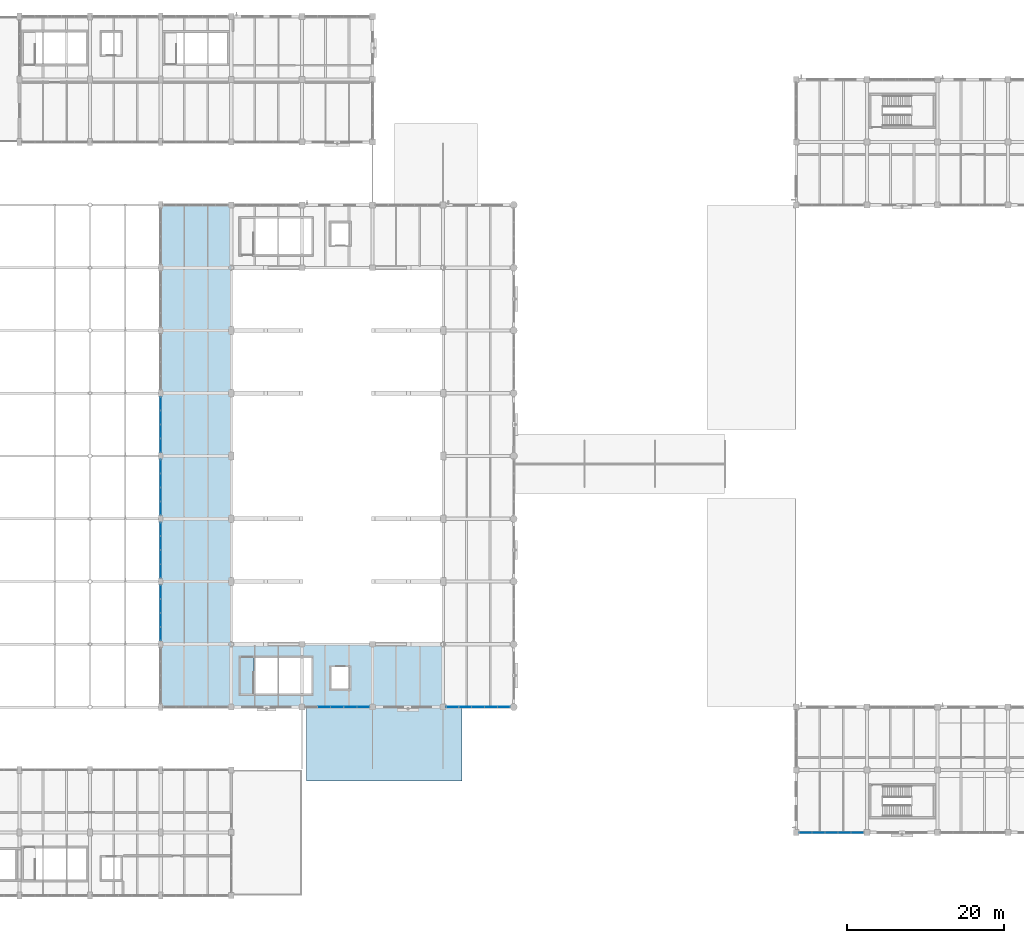
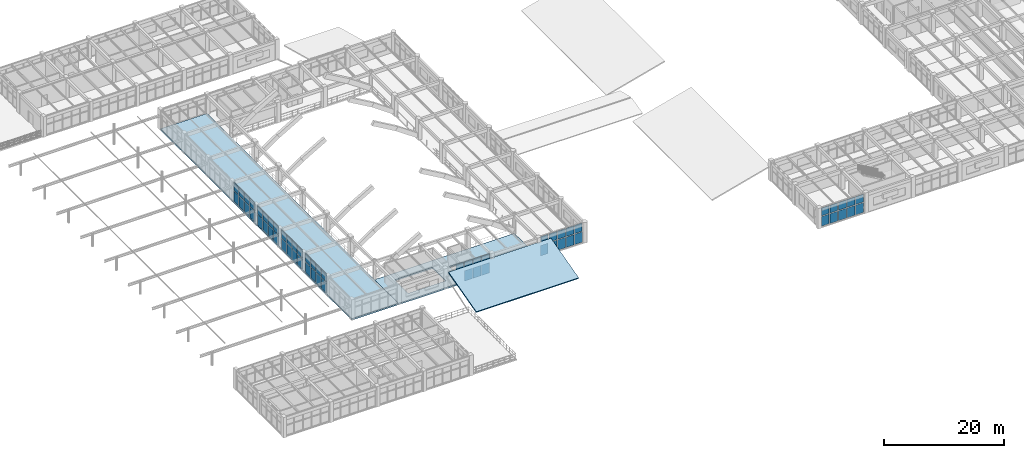
# One storey, part 116 of 148: 59 plates, 3 slabs, 8 elements without a shape of their own.
"""IFC4 building model written with IfcOpenShell, lengths in metres."""

from ifc_helpers import new_model, si_unit, derived_unit, direction, frame, origin, origin_2d, place, context, subcontext, project, spatial, polyline, rectangle, outline, extrude, material, layer, layer_set, type_object, element, aggregate, save


model = new_model("IFC4")

# Units and contexts
model_context = context("Model", 3, precision=1e-05, world=origin(), true_north=direction((0.0, 1.0)))
body_context = subcontext(model_context, "Body", "Model", "MODEL_VIEW")
ifc_project = project(units=[si_unit("LENGTHUNIT", "METRE"), si_unit("AREAUNIT", "SQUARE_METRE"), si_unit("VOLUMEUNIT", "CUBIC_METRE"), si_unit("PLANEANGLEUNIT", "RADIAN"), si_unit("MASSUNIT", "GRAM", prefix="KILO"), derived_unit("THERMALTRANSMITTANCEUNIT", [(si_unit("MASSUNIT", "GRAM", prefix="KILO"), 1), (si_unit("TIMEUNIT", "SECOND"), -3), (si_unit("THERMODYNAMICTEMPERATUREUNIT", "KELVIN"), -1)])], contexts=[model_context])

# Site, building, storey
site_placement = place(None, origin())
site = spatial("IfcSite", under=ifc_project, at=site_placement, CompositionType="ELEMENT")
building_placement = place(site_placement, origin())
building = spatial("IfcBuilding", under=site, at=building_placement, Name="Zhenchuan Archway Interchange", CompositionType="ELEMENT")
storey_placement = place(building_placement, frame((0.0, 0.0, 10.199951171875)))
storey = spatial("IfcBuildingStorey", under=building, at=storey_placement, Name="L02", CompositionType="ELEMENT", Elevation=10.199951171875)

# Curtain wall, plates
ifc_material_1 = material(Name="Anodised Aluminium", Category="aluminium")
curtain_wall_type_1 = type_object("IfcCurtainWallType", Name="CW_UNIT_4", PredefinedType="NOTDEFINED", material=ifc_material_1)
curtain_wall_1_placement = place(storey_placement, origin())
curtain_wall_1 = element("IfcCurtainWall", 1, at=curtain_wall_1_placement, inside=storey, type_object=curtain_wall_type_1, Name="Unitised curtain wall CW:L02:123", PredefinedType="NOTDEFINED")
ifc_material_2 = material(Name="Double Low-E Insulated Glazing", Category="glass")
ifc_layer_1 = layer(ifc_material_2, 0.028076171875)
ifc_layer_set_1 = layer_set([ifc_layer_1], Name="Double Low-E Insulated Glazing")
plate_type_1 = type_object("IfcPlateType", Name="CW_GLZ_1", PredefinedType="CURTAIN_PANEL", material=ifc_layer_set_1)
plate_1_placement = place(storey_placement, frame((70.7490234375, 24.0, 0.080078125), z_axis=(0.0, 0.0, 1.0), x_axis=(-1.0, 0.0, 0.0)))
plate_1 = element("IfcPlate", 2, at=plate_1_placement, type_object=plate_type_1, Name="CW:L02:123 lower glazing panel 0", PredefinedType="CURTAIN_PANEL", context=body_context, shape_type="SweptSolid", body=[
    extrude(rectangle(XDim=1.488037109375, YDim=0.028076171875, at=origin_2d()), origin(), (0.0, 0.0, 1.0), 2.1259765625),
])
plate_2_placement = place(storey_placement, frame((69.111083984375, 24.0, 0.080078125), z_axis=(0.0, 0.0, 1.0), x_axis=(-1.0, 0.0, 0.0)))
plate_2 = element("IfcPlate", 3, at=plate_2_placement, type_object=plate_type_1, Name="CW:L02:123 lower glazing panel 1", PredefinedType="CURTAIN_PANEL", context=body_context, shape_type="SweptSolid", body=[
    extrude(rectangle(XDim=1.508056640625, YDim=0.028076171875, at=origin_2d()), origin(), (0.0, 0.0, 1.0), 2.1259765625),
])
plate_3_placement = place(storey_placement, frame((67.462890625, 24.0, 0.080078125), z_axis=(0.0, 0.0, 1.0), x_axis=(-1.0, 0.0, 0.0)))
plate_3 = element("IfcPlate", 4, at=plate_3_placement, type_object=plate_type_1, Name="CW:L02:123 lower glazing panel 2", PredefinedType="CURTAIN_PANEL", context=body_context, shape_type="SweptSolid", body=[
    extrude(rectangle(XDim=1.508056640625, YDim=0.028076171875, at=origin_2d()), origin(), (0.0, 0.0, 1.0), 2.1259765625),
])
plate_4_placement = place(storey_placement, frame((65.81494140625, 24.0, 0.080078125), z_axis=(0.0, 0.0, 1.0), x_axis=(-1.0, 0.0, 0.0)))
plate_4 = element("IfcPlate", 5, at=plate_4_placement, type_object=plate_type_1, Name="CW:L02:123 lower glazing panel 3", PredefinedType="CURTAIN_PANEL", context=body_context, shape_type="SweptSolid", body=[
    extrude(rectangle(XDim=1.508056640625, YDim=0.028076171875, at=origin_2d()), origin(), (0.0, 0.0, 1.0), 2.1259765625),
])
plate_5_placement = place(storey_placement, frame((64.177001953125, 24.0, 0.080078125), z_axis=(0.0, 0.0, 1.0), x_axis=(-1.0, 0.0, 0.0)))
plate_5 = element("IfcPlate", 6, at=plate_5_placement, type_object=plate_type_1, Name="CW:L02:123 lower glazing panel 4", PredefinedType="CURTAIN_PANEL", context=body_context, shape_type="SweptSolid", body=[
    extrude(rectangle(XDim=1.488037109375, YDim=0.028076171875, at=origin_2d()), origin(), (0.0, 0.0, 1.0), 2.1259765625),
])

curtain_wall_type_2 = type_object("IfcCurtainWallType", Name="CW_UNIT_1", PredefinedType="NOTDEFINED", material=ifc_material_1)
curtain_wall_2_placement = place(storey_placement, origin())
curtain_wall_2 = element("IfcCurtainWall", 7, at=curtain_wall_2_placement, inside=storey, type_object=curtain_wall_type_2, Name="Unitised curtain wall CW:L02:124", PredefinedType="NOTDEFINED")
plate_6_placement = place(storey_placement, frame((52.815673828125, 24.0, 0.080078125), z_axis=(0.0, 0.0, 1.0), x_axis=(-1.0, 0.0, 0.0)))
plate_6 = element("IfcPlate", 8, at=plate_6_placement, type_object=plate_type_1, Name="CW:L02:124 lower glazing panel 0", PredefinedType="CURTAIN_PANEL", context=body_context, shape_type="SweptSolid", body=[
    extrude(rectangle(XDim=1.502685546875, YDim=0.028076171875, at=origin_2d()), origin(), (0.0, 0.0, 1.0), 2.1259765625),
])
plate_7_placement = place(storey_placement, frame((51.162841796875, 24.0, 0.080078125), z_axis=(0.0, 0.0, 1.0), x_axis=(-1.0, 0.0, 0.0)))
plate_7 = element("IfcPlate", 9, at=plate_7_placement, type_object=plate_type_1, Name="CW:L02:124 lower glazing panel 1", PredefinedType="CURTAIN_PANEL", context=body_context, shape_type="SweptSolid", body=[
    extrude(rectangle(XDim=1.522705078125, YDim=0.028076171875, at=origin_2d()), origin(), (0.0, 0.0, 1.0), 2.1259765625),
])
plate_8_placement = place(storey_placement, frame((49.5, 24.0, 0.080078125), z_axis=(0.0, 0.0, 1.0), x_axis=(-1.0, 0.0, 0.0)))
plate_8 = element("IfcPlate", 10, at=plate_8_placement, type_object=plate_type_1, Name="CW:L02:124 lower glazing panel 2", PredefinedType="CURTAIN_PANEL", context=body_context, shape_type="SweptSolid", body=[
    extrude(rectangle(XDim=1.522705078125, YDim=0.028076171875, at=origin_2d()), origin(), (0.0, 0.0, 1.0), 2.1259765625),
])

curtain_wall_3_placement = place(storey_placement, origin())
curtain_wall_3 = element("IfcCurtainWall", 11, at=curtain_wall_3_placement, inside=storey, type_object=curtain_wall_type_1, Name="Unitised curtain wall CW:L02:159", PredefinedType="NOTDEFINED")
plate_9_placement = place(storey_placement, frame((115.815673828125, 8.0, 0.080078125), z_axis=(0.0, 0.0, 1.0), x_axis=(-1.0, 0.0, 0.0)))
plate_9 = element("IfcPlate", 12, at=plate_9_placement, type_object=plate_type_1, Name="CW:L02:159 lower glazing panel 0", PredefinedType="CURTAIN_PANEL", context=body_context, shape_type="SweptSolid", body=[
    extrude(rectangle(XDim=1.502685546875, YDim=0.028076171875, at=origin_2d()), origin(), (0.0, 0.0, 1.0), 2.0048828125),
])
plate_10_placement = place(storey_placement, frame((114.162841796875, 8.0, 0.080078125), z_axis=(0.0, 0.0, 1.0), x_axis=(-1.0, 0.0, 0.0)))
plate_10 = element("IfcPlate", 13, at=plate_10_placement, type_object=plate_type_1, Name="CW:L02:159 lower glazing panel 1", PredefinedType="CURTAIN_PANEL", context=body_context, shape_type="SweptSolid", body=[
    extrude(rectangle(XDim=1.522705078125, YDim=0.028076171875, at=origin_2d()), origin(), (0.0, 0.0, 1.0), 2.0048828125),
])
plate_11_placement = place(storey_placement, frame((112.5, 8.0, 0.080078125), z_axis=(0.0, 0.0, 1.0), x_axis=(-1.0, 0.0, 0.0)))
plate_11 = element("IfcPlate", 14, at=plate_11_placement, type_object=plate_type_1, Name="CW:L02:159 lower glazing panel 2", PredefinedType="CURTAIN_PANEL", context=body_context, shape_type="SweptSolid", body=[
    extrude(rectangle(XDim=1.522705078125, YDim=0.028076171875, at=origin_2d()), origin(), (0.0, 0.0, 1.0), 2.0048828125),
])
plate_12_placement = place(storey_placement, frame((110.837158203125, 8.0, 0.080078125), z_axis=(0.0, 0.0, 1.0), x_axis=(-1.0, 0.0, 0.0)))
plate_12 = element("IfcPlate", 15, at=plate_12_placement, type_object=plate_type_1, Name="CW:L02:159 lower glazing panel 3", PredefinedType="CURTAIN_PANEL", context=body_context, shape_type="SweptSolid", body=[
    extrude(rectangle(XDim=1.522705078125, YDim=0.028076171875, at=origin_2d()), origin(), (0.0, 0.0, 1.0), 2.0048828125),
])
plate_13_placement = place(storey_placement, frame((109.184326171875, 8.0, 0.080078125), z_axis=(0.0, 0.0, 1.0), x_axis=(-1.0, 0.0, 0.0)))
plate_13 = element("IfcPlate", 16, at=plate_13_placement, type_object=plate_type_1, Name="CW:L02:159 lower glazing panel 4", PredefinedType="CURTAIN_PANEL", context=body_context, shape_type="SweptSolid", body=[
    extrude(rectangle(XDim=1.502685546875, YDim=0.028076171875, at=origin_2d()), origin(), (0.0, 0.0, 1.0), 2.0048828125),
])

# Plate
ifc_layer_2 = layer(ifc_material_2, 0.02587890625)
ifc_layer_set_2 = layer_set([ifc_layer_2], Name="Double Low-E Insulated Glazing")
plate_type_2 = type_object("IfcPlateType", Name="CW_GLZ_2", PredefinedType="CURTAIN_PANEL", material=ifc_layer_set_2)
plate_14_placement = place(storey_placement, frame((70.7490234375, 24.0, 2.326171875), z_axis=(0.0, 0.0, 1.0), x_axis=(-1.0, 0.0, 0.0)))
plate_14 = element("IfcPlate", 17, at=plate_14_placement, type_object=plate_type_2, Name="CW:L02:123 upper glazing panel 0", PredefinedType="CURTAIN_PANEL", context=body_context, shape_type="SweptSolid", body=[
    extrude(rectangle(XDim=1.488037109375, YDim=0.02587890625, at=origin_2d()), origin(), (0.0, 0.0, 1.0), 1.714111328125),
])

plate_15_placement = place(storey_placement, frame((69.111083984375, 24.0, 2.326171875), z_axis=(0.0, 0.0, 1.0), x_axis=(-1.0, 0.0, 0.0)))
plate_15 = element("IfcPlate", 18, at=plate_15_placement, type_object=plate_type_2, Name="CW:L02:123 upper glazing panel 1", PredefinedType="CURTAIN_PANEL", context=body_context, shape_type="SweptSolid", body=[
    extrude(rectangle(XDim=1.508056640625, YDim=0.02587890625, at=origin_2d()), origin(), (0.0, 0.0, 1.0), 1.714111328125),
])

plate_16_placement = place(storey_placement, frame((67.462890625, 24.0, 2.326171875), z_axis=(0.0, 0.0, 1.0), x_axis=(-1.0, 0.0, 0.0)))
plate_16 = element("IfcPlate", 19, at=plate_16_placement, type_object=plate_type_2, Name="CW:L02:123 upper glazing panel 2", PredefinedType="CURTAIN_PANEL", context=body_context, shape_type="SweptSolid", body=[
    extrude(rectangle(XDim=1.508056640625, YDim=0.02587890625, at=origin_2d()), origin(), (0.0, 0.0, 1.0), 1.714111328125),
])

plate_17_placement = place(storey_placement, frame((65.81494140625, 24.0, 2.326171875), z_axis=(0.0, 0.0, 1.0), x_axis=(-1.0, 0.0, 0.0)))
plate_17 = element("IfcPlate", 20, at=plate_17_placement, type_object=plate_type_2, Name="CW:L02:123 upper glazing panel 3", PredefinedType="CURTAIN_PANEL", context=body_context, shape_type="SweptSolid", body=[
    extrude(rectangle(XDim=1.508056640625, YDim=0.02587890625, at=origin_2d()), origin(), (0.0, 0.0, 1.0), 1.714111328125),
])

plate_18_placement = place(storey_placement, frame((64.177001953125, 24.0, 2.326171875), z_axis=(0.0, 0.0, 1.0), x_axis=(-1.0, 0.0, 0.0)))
plate_18 = element("IfcPlate", 21, at=plate_18_placement, type_object=plate_type_2, Name="CW:L02:123 upper glazing panel 4", PredefinedType="CURTAIN_PANEL", context=body_context, shape_type="SweptSolid", body=[
    extrude(rectangle(XDim=1.488037109375, YDim=0.02587890625, at=origin_2d()), origin(), (0.0, 0.0, 1.0), 1.714111328125),
])

aggregate(curtain_wall_1, [plate_1, plate_14, plate_2, plate_15, plate_3, plate_16, plate_4, plate_17, plate_5, plate_18])

plate_19_placement = place(storey_placement, frame((52.815673828125, 24.0, 2.326171875), z_axis=(0.0, 0.0, 1.0), x_axis=(-1.0, 0.0, 0.0)))
plate_19 = element("IfcPlate", 22, at=plate_19_placement, type_object=plate_type_2, Name="CW:L02:124 upper glazing panel 0", PredefinedType="CURTAIN_PANEL", context=body_context, shape_type="SweptSolid", body=[
    extrude(rectangle(XDim=1.502685546875, YDim=0.02587890625, at=origin_2d()), origin(), (0.0, 0.0, 1.0), 1.714111328125),
])

plate_20_placement = place(storey_placement, frame((51.162841796875, 24.0, 2.326171875), z_axis=(0.0, 0.0, 1.0), x_axis=(-1.0, 0.0, 0.0)))
plate_20 = element("IfcPlate", 23, at=plate_20_placement, type_object=plate_type_2, Name="CW:L02:124 upper glazing panel 1", PredefinedType="CURTAIN_PANEL", context=body_context, shape_type="SweptSolid", body=[
    extrude(rectangle(XDim=1.522705078125, YDim=0.02587890625, at=origin_2d()), origin(), (0.0, 0.0, 1.0), 1.714111328125),
])

plate_21_placement = place(storey_placement, frame((49.5, 24.0, 2.326171875), z_axis=(0.0, 0.0, 1.0), x_axis=(-1.0, 0.0, 0.0)))
plate_21 = element("IfcPlate", 24, at=plate_21_placement, type_object=plate_type_2, Name="CW:L02:124 upper glazing panel 2", PredefinedType="CURTAIN_PANEL", context=body_context, shape_type="SweptSolid", body=[
    extrude(rectangle(XDim=1.522705078125, YDim=0.02587890625, at=origin_2d()), origin(), (0.0, 0.0, 1.0), 1.714111328125),
])

plate_22_placement = place(storey_placement, frame((47.837158203125, 24.0, 2.326171875), z_axis=(0.0, 0.0, 1.0), x_axis=(-1.0, 0.0, 0.0)))
plate_22 = element("IfcPlate", 25, at=plate_22_placement, type_object=plate_type_2, Name="CW:L02:124 upper glazing panel 3", PredefinedType="CURTAIN_PANEL", context=body_context, shape_type="SweptSolid", body=[
    extrude(rectangle(XDim=1.522705078125, YDim=0.02587890625, at=origin_2d()), origin(), (0.0, 0.0, 1.0), 1.714111328125),
])

aggregate(curtain_wall_2, [plate_6, plate_19, plate_7, plate_20, plate_8, plate_21, plate_22])

plate_23_placement = place(storey_placement, frame((115.815673828125, 8.0, 2.205078125), z_axis=(0.0, 0.0, 1.0), x_axis=(-1.0, 0.0, 0.0)))
plate_23 = element("IfcPlate", 26, at=plate_23_placement, type_object=plate_type_2, Name="CW:L02:159 upper glazing panel 0", PredefinedType="CURTAIN_PANEL", context=body_context, shape_type="SweptSolid", body=[
    extrude(rectangle(XDim=1.502685546875, YDim=0.02587890625, at=origin_2d()), origin(), (0.0, 0.0, 1.0), 1.614990234375),
])

plate_24_placement = place(storey_placement, frame((114.162841796875, 8.0, 2.205078125), z_axis=(0.0, 0.0, 1.0), x_axis=(-1.0, 0.0, 0.0)))
plate_24 = element("IfcPlate", 27, at=plate_24_placement, type_object=plate_type_2, Name="CW:L02:159 upper glazing panel 1", PredefinedType="CURTAIN_PANEL", context=body_context, shape_type="SweptSolid", body=[
    extrude(rectangle(XDim=1.522705078125, YDim=0.02587890625, at=origin_2d()), origin(), (0.0, 0.0, 1.0), 1.614990234375),
])

plate_25_placement = place(storey_placement, frame((112.5, 8.0, 2.205078125), z_axis=(0.0, 0.0, 1.0), x_axis=(-1.0, 0.0, 0.0)))
plate_25 = element("IfcPlate", 28, at=plate_25_placement, type_object=plate_type_2, Name="CW:L02:159 upper glazing panel 2", PredefinedType="CURTAIN_PANEL", context=body_context, shape_type="SweptSolid", body=[
    extrude(rectangle(XDim=1.522705078125, YDim=0.02587890625, at=origin_2d()), origin(), (0.0, 0.0, 1.0), 1.614990234375),
])

plate_26_placement = place(storey_placement, frame((110.837158203125, 8.0, 2.205078125), z_axis=(0.0, 0.0, 1.0), x_axis=(-1.0, 0.0, 0.0)))
plate_26 = element("IfcPlate", 29, at=plate_26_placement, type_object=plate_type_2, Name="CW:L02:159 upper glazing panel 3", PredefinedType="CURTAIN_PANEL", context=body_context, shape_type="SweptSolid", body=[
    extrude(rectangle(XDim=1.522705078125, YDim=0.02587890625, at=origin_2d()), origin(), (0.0, 0.0, 1.0), 1.614990234375),
])

plate_27_placement = place(storey_placement, frame((109.184326171875, 8.0, 2.205078125), z_axis=(0.0, 0.0, 1.0), x_axis=(-1.0, 0.0, 0.0)))
plate_27 = element("IfcPlate", 30, at=plate_27_placement, type_object=plate_type_2, Name="CW:L02:159 upper glazing panel 4", PredefinedType="CURTAIN_PANEL", context=body_context, shape_type="SweptSolid", body=[
    extrude(rectangle(XDim=1.502685546875, YDim=0.02587890625, at=origin_2d()), origin(), (0.0, 0.0, 1.0), 1.614990234375),
])

aggregate(curtain_wall_3, [plate_9, plate_23, plate_10, plate_24, plate_11, plate_25, plate_12, plate_26, plate_13, plate_27])

# Curtain wall, plates
curtain_wall_4_placement = place(storey_placement, origin())
curtain_wall_4 = element("IfcCurtainWall", 31, at=curtain_wall_4_placement, inside=storey, type_object=curtain_wall_type_1, Name="Unitised curtain wall CW:L02:127", PredefinedType="NOTDEFINED")
ifc_layer_3 = layer(ifc_material_2, 0.030029296875)
ifc_layer_set_3 = layer_set([ifc_layer_3], Name="Double Low-E Insulated Glazing")
plate_type_3 = type_object("IfcPlateType", Name="CW_GLZ_3", PredefinedType="CURTAIN_PANEL", material=ifc_layer_set_3)
plate_28_placement = place(storey_placement, frame((27.0, 33.323486328125, 0.080078125), z_axis=(0.0, 0.0, 1.0), x_axis=(0.0, 1.0, 0.0)))
plate_28 = element("IfcPlate", 32, at=plate_28_placement, type_object=plate_type_3, Name="CW:L02:127 lower glazing panel 0", PredefinedType="CURTAIN_PANEL", context=body_context, shape_type="SweptSolid", body=[
    extrude(rectangle(XDim=1.631103515625, YDim=0.028076171875, at=origin_2d()), origin(), (0.0, 0.0, 1.0), 2.1259765625),
])
plate_29_placement = place(storey_placement, frame((27.0, 35.1044921875, 0.080078125), z_axis=(0.0, 0.0, 1.0), x_axis=(0.0, 1.0, 0.0)))
plate_29 = element("IfcPlate", 33, at=plate_29_placement, type_object=plate_type_3, Name="CW:L02:127 lower glazing panel 1", PredefinedType="CURTAIN_PANEL", context=body_context, shape_type="SweptSolid", body=[
    extrude(rectangle(XDim=1.65087890625, YDim=0.028076171875, at=origin_2d()), origin(), (0.0, 0.0, 1.0), 2.1259765625),
])
plate_30_placement = place(storey_placement, frame((27.0, 36.8955078125, 0.080078125), z_axis=(0.0, 0.0, 1.0), x_axis=(0.0, 1.0, 0.0)))
plate_30 = element("IfcPlate", 34, at=plate_30_placement, type_object=plate_type_3, Name="CW:L02:127 lower glazing panel 2", PredefinedType="CURTAIN_PANEL", context=body_context, shape_type="SweptSolid", body=[
    extrude(rectangle(XDim=1.65087890625, YDim=0.028076171875, at=origin_2d()), origin(), (0.0, 0.0, 1.0), 2.1259765625),
])
plate_31_placement = place(storey_placement, frame((27.0, 38.676513671875, 0.080078125), z_axis=(0.0, 0.0, 1.0), x_axis=(0.0, 1.0, 0.0)))
plate_31 = element("IfcPlate", 35, at=plate_31_placement, type_object=plate_type_3, Name="CW:L02:127 lower glazing panel 3", PredefinedType="CURTAIN_PANEL", context=body_context, shape_type="SweptSolid", body=[
    extrude(rectangle(XDim=1.631103515625, YDim=0.028076171875, at=origin_2d()), origin(), (0.0, 0.0, 1.0), 2.1259765625),
])

curtain_wall_5_placement = place(storey_placement, origin())
curtain_wall_5 = element("IfcCurtainWall", 36, at=curtain_wall_5_placement, inside=storey, type_object=curtain_wall_type_2, Name="Unitised curtain wall CW:L02:128", PredefinedType="NOTDEFINED")
plate_32_placement = place(storey_placement, frame((27.0, 41.323486328125, 0.080078125), z_axis=(0.0, 0.0, 1.0), x_axis=(0.0, 1.0, 0.0)))
plate_32 = element("IfcPlate", 37, at=plate_32_placement, type_object=plate_type_3, Name="CW:L02:128 lower glazing panel 0", PredefinedType="CURTAIN_PANEL", context=body_context, shape_type="SweptSolid", body=[
    extrude(rectangle(XDim=1.631103515625, YDim=0.028076171875, at=origin_2d()), origin(), (0.0, 0.0, 1.0), 2.1259765625),
])
plate_33_placement = place(storey_placement, frame((27.0, 43.1044921875, 0.080078125), z_axis=(0.0, 0.0, 1.0), x_axis=(0.0, 1.0, 0.0)))
plate_33 = element("IfcPlate", 38, at=plate_33_placement, type_object=plate_type_3, Name="CW:L02:128 lower glazing panel 1", PredefinedType="CURTAIN_PANEL", context=body_context, shape_type="SweptSolid", body=[
    extrude(rectangle(XDim=1.65087890625, YDim=0.028076171875, at=origin_2d()), origin(), (0.0, 0.0, 1.0), 2.1259765625),
])
plate_34_placement = place(storey_placement, frame((27.0, 44.8955078125, 0.080078125), z_axis=(0.0, 0.0, 1.0), x_axis=(0.0, 1.0, 0.0)))
plate_34 = element("IfcPlate", 39, at=plate_34_placement, type_object=plate_type_3, Name="CW:L02:128 lower glazing panel 2", PredefinedType="CURTAIN_PANEL", context=body_context, shape_type="SweptSolid", body=[
    extrude(rectangle(XDim=1.65087890625, YDim=0.028076171875, at=origin_2d()), origin(), (0.0, 0.0, 1.0), 2.1259765625),
])
plate_35_placement = place(storey_placement, frame((27.0, 46.676513671875, 0.080078125), z_axis=(0.0, 0.0, 1.0), x_axis=(0.0, 1.0, 0.0)))
plate_35 = element("IfcPlate", 40, at=plate_35_placement, type_object=plate_type_3, Name="CW:L02:128 lower glazing panel 3", PredefinedType="CURTAIN_PANEL", context=body_context, shape_type="SweptSolid", body=[
    extrude(rectangle(XDim=1.631103515625, YDim=0.028076171875, at=origin_2d()), origin(), (0.0, 0.0, 1.0), 2.1259765625),
])

curtain_wall_type_3 = type_object("IfcCurtainWallType", Name="CW_UNIT_2", PredefinedType="NOTDEFINED", material=ifc_material_1)
curtain_wall_6_placement = place(storey_placement, origin())
curtain_wall_6 = element("IfcCurtainWall", 41, at=curtain_wall_6_placement, inside=storey, type_object=curtain_wall_type_3, Name="Unitised curtain wall CW:L02:129", PredefinedType="NOTDEFINED")
plate_36_placement = place(storey_placement, frame((27.0, 49.323486328125, 0.080078125), z_axis=(0.0, 0.0, 1.0), x_axis=(0.0, 1.0, 0.0)))
plate_36 = element("IfcPlate", 42, at=plate_36_placement, type_object=plate_type_3, Name="CW:L02:129 lower glazing panel 0", PredefinedType="CURTAIN_PANEL", context=body_context, shape_type="SweptSolid", body=[
    extrude(rectangle(XDim=1.631103515625, YDim=0.028076171875, at=origin_2d()), origin(), (0.0, 0.0, 1.0), 2.1259765625),
])
plate_37_placement = place(storey_placement, frame((27.0, 51.1044921875, 0.080078125), z_axis=(0.0, 0.0, 1.0), x_axis=(0.0, 1.0, 0.0)))
plate_37 = element("IfcPlate", 43, at=plate_37_placement, type_object=plate_type_3, Name="CW:L02:129 lower glazing panel 1", PredefinedType="CURTAIN_PANEL", context=body_context, shape_type="SweptSolid", body=[
    extrude(rectangle(XDim=1.65087890625, YDim=0.028076171875, at=origin_2d()), origin(), (0.0, 0.0, 1.0), 2.1259765625),
])
plate_38_placement = place(storey_placement, frame((27.0, 52.8955078125, 0.080078125), z_axis=(0.0, 0.0, 1.0), x_axis=(0.0, 1.0, 0.0)))
plate_38 = element("IfcPlate", 44, at=plate_38_placement, type_object=plate_type_3, Name="CW:L02:129 lower glazing panel 2", PredefinedType="CURTAIN_PANEL", context=body_context, shape_type="SweptSolid", body=[
    extrude(rectangle(XDim=1.65087890625, YDim=0.028076171875, at=origin_2d()), origin(), (0.0, 0.0, 1.0), 2.1259765625),
])
plate_39_placement = place(storey_placement, frame((27.0, 54.676513671875, 0.080078125), z_axis=(0.0, 0.0, 1.0), x_axis=(0.0, 1.0, 0.0)))
plate_39 = element("IfcPlate", 45, at=plate_39_placement, type_object=plate_type_3, Name="CW:L02:129 lower glazing panel 3", PredefinedType="CURTAIN_PANEL", context=body_context, shape_type="SweptSolid", body=[
    extrude(rectangle(XDim=1.631103515625, YDim=0.028076171875, at=origin_2d()), origin(), (0.0, 0.0, 1.0), 2.1259765625),
])

curtain_wall_type_4 = type_object("IfcCurtainWallType", Name="CW_UNIT_3", PredefinedType="NOTDEFINED", material=ifc_material_1)
curtain_wall_7_placement = place(storey_placement, origin())
curtain_wall_7 = element("IfcCurtainWall", 46, at=curtain_wall_7_placement, inside=storey, type_object=curtain_wall_type_4, Name="Unitised curtain wall CW:L02:130", PredefinedType="NOTDEFINED")
plate_40_placement = place(storey_placement, frame((27.0, 57.323486328125, 0.080078125), z_axis=(0.0, 0.0, 1.0), x_axis=(0.0, 1.0, 0.0)))
plate_40 = element("IfcPlate", 47, at=plate_40_placement, type_object=plate_type_3, Name="CW:L02:130 lower glazing panel 0", PredefinedType="CURTAIN_PANEL", context=body_context, shape_type="SweptSolid", body=[
    extrude(rectangle(XDim=1.631103515625, YDim=0.028076171875, at=origin_2d()), origin(), (0.0, 0.0, 1.0), 2.1259765625),
])
plate_41_placement = place(storey_placement, frame((27.0, 59.1044921875, 0.080078125), z_axis=(0.0, 0.0, 1.0), x_axis=(0.0, 1.0, 0.0)))
plate_41 = element("IfcPlate", 48, at=plate_41_placement, type_object=plate_type_3, Name="CW:L02:130 lower glazing panel 1", PredefinedType="CURTAIN_PANEL", context=body_context, shape_type="SweptSolid", body=[
    extrude(rectangle(XDim=1.65087890625, YDim=0.028076171875, at=origin_2d()), origin(), (0.0, 0.0, 1.0), 2.1259765625),
])
plate_42_placement = place(storey_placement, frame((27.0, 60.8955078125, 0.080078125), z_axis=(0.0, 0.0, 1.0), x_axis=(0.0, 1.0, 0.0)))
plate_42 = element("IfcPlate", 49, at=plate_42_placement, type_object=plate_type_3, Name="CW:L02:130 lower glazing panel 2", PredefinedType="CURTAIN_PANEL", context=body_context, shape_type="SweptSolid", body=[
    extrude(rectangle(XDim=1.65087890625, YDim=0.028076171875, at=origin_2d()), origin(), (0.0, 0.0, 1.0), 2.1259765625),
])
plate_43_placement = place(storey_placement, frame((27.0, 62.676513671875, 0.080078125), z_axis=(0.0, 0.0, 1.0), x_axis=(0.0, 1.0, 0.0)))
plate_43 = element("IfcPlate", 50, at=plate_43_placement, type_object=plate_type_3, Name="CW:L02:130 lower glazing panel 3", PredefinedType="CURTAIN_PANEL", context=body_context, shape_type="SweptSolid", body=[
    extrude(rectangle(XDim=1.631103515625, YDim=0.028076171875, at=origin_2d()), origin(), (0.0, 0.0, 1.0), 2.1259765625),
])

# Plate
ifc_layer_4 = layer(ifc_material_2, 0.02392578125)
ifc_layer_set_4 = layer_set([ifc_layer_4], Name="Double Low-E Insulated Glazing")
plate_type_4 = type_object("IfcPlateType", Name="CW_GLZ_4", PredefinedType="CURTAIN_PANEL", material=ifc_layer_set_4)
plate_44_placement = place(storey_placement, frame((27.0, 33.323486328125, 2.326171875), z_axis=(0.0, 0.0, 1.0), x_axis=(0.0, 1.0, 0.0)))
plate_44 = element("IfcPlate", 51, at=plate_44_placement, type_object=plate_type_4, Name="CW:L02:127 upper glazing panel 0", PredefinedType="CURTAIN_PANEL", context=body_context, shape_type="SweptSolid", body=[
    extrude(rectangle(XDim=1.631103515625, YDim=0.02587890625, at=origin_2d()), origin(), (0.0, 0.0, 1.0), 1.714111328125),
])

plate_45_placement = place(storey_placement, frame((27.0, 35.1044921875, 2.326171875), z_axis=(0.0, 0.0, 1.0), x_axis=(0.0, 1.0, 0.0)))
plate_45 = element("IfcPlate", 52, at=plate_45_placement, type_object=plate_type_4, Name="CW:L02:127 upper glazing panel 1", PredefinedType="CURTAIN_PANEL", context=body_context, shape_type="SweptSolid", body=[
    extrude(rectangle(XDim=1.65087890625, YDim=0.02587890625, at=origin_2d()), origin(), (0.0, 0.0, 1.0), 1.714111328125),
])

plate_46_placement = place(storey_placement, frame((27.0, 36.8955078125, 2.326171875), z_axis=(0.0, 0.0, 1.0), x_axis=(0.0, 1.0, 0.0)))
plate_46 = element("IfcPlate", 53, at=plate_46_placement, type_object=plate_type_4, Name="CW:L02:127 upper glazing panel 2", PredefinedType="CURTAIN_PANEL", context=body_context, shape_type="SweptSolid", body=[
    extrude(rectangle(XDim=1.65087890625, YDim=0.02587890625, at=origin_2d()), origin(), (0.0, 0.0, 1.0), 1.714111328125),
])

plate_47_placement = place(storey_placement, frame((27.0, 38.676513671875, 2.326171875), z_axis=(0.0, 0.0, 1.0), x_axis=(0.0, 1.0, 0.0)))
plate_47 = element("IfcPlate", 54, at=plate_47_placement, type_object=plate_type_4, Name="CW:L02:127 upper glazing panel 3", PredefinedType="CURTAIN_PANEL", context=body_context, shape_type="SweptSolid", body=[
    extrude(rectangle(XDim=1.631103515625, YDim=0.02587890625, at=origin_2d()), origin(), (0.0, 0.0, 1.0), 1.714111328125),
])

aggregate(curtain_wall_4, [plate_28, plate_44, plate_29, plate_45, plate_30, plate_46, plate_31, plate_47])

plate_48_placement = place(storey_placement, frame((27.0, 41.323486328125, 2.326171875), z_axis=(0.0, 0.0, 1.0), x_axis=(0.0, 1.0, 0.0)))
plate_48 = element("IfcPlate", 55, at=plate_48_placement, type_object=plate_type_4, Name="CW:L02:128 upper glazing panel 0", PredefinedType="CURTAIN_PANEL", context=body_context, shape_type="SweptSolid", body=[
    extrude(rectangle(XDim=1.631103515625, YDim=0.02587890625, at=origin_2d()), origin(), (0.0, 0.0, 1.0), 1.714111328125),
])

plate_49_placement = place(storey_placement, frame((27.0, 43.1044921875, 2.326171875), z_axis=(0.0, 0.0, 1.0), x_axis=(0.0, 1.0, 0.0)))
plate_49 = element("IfcPlate", 56, at=plate_49_placement, type_object=plate_type_4, Name="CW:L02:128 upper glazing panel 1", PredefinedType="CURTAIN_PANEL", context=body_context, shape_type="SweptSolid", body=[
    extrude(rectangle(XDim=1.65087890625, YDim=0.02587890625, at=origin_2d()), origin(), (0.0, 0.0, 1.0), 1.714111328125),
])

plate_50_placement = place(storey_placement, frame((27.0, 44.8955078125, 2.326171875), z_axis=(0.0, 0.0, 1.0), x_axis=(0.0, 1.0, 0.0)))
plate_50 = element("IfcPlate", 57, at=plate_50_placement, type_object=plate_type_4, Name="CW:L02:128 upper glazing panel 2", PredefinedType="CURTAIN_PANEL", context=body_context, shape_type="SweptSolid", body=[
    extrude(rectangle(XDim=1.65087890625, YDim=0.02587890625, at=origin_2d()), origin(), (0.0, 0.0, 1.0), 1.714111328125),
])

plate_51_placement = place(storey_placement, frame((27.0, 46.676513671875, 2.326171875), z_axis=(0.0, 0.0, 1.0), x_axis=(0.0, 1.0, 0.0)))
plate_51 = element("IfcPlate", 58, at=plate_51_placement, type_object=plate_type_4, Name="CW:L02:128 upper glazing panel 3", PredefinedType="CURTAIN_PANEL", context=body_context, shape_type="SweptSolid", body=[
    extrude(rectangle(XDim=1.631103515625, YDim=0.02587890625, at=origin_2d()), origin(), (0.0, 0.0, 1.0), 1.714111328125),
])

aggregate(curtain_wall_5, [plate_32, plate_48, plate_33, plate_49, plate_34, plate_50, plate_35, plate_51])

plate_52_placement = place(storey_placement, frame((27.0, 49.323486328125, 2.326171875), z_axis=(0.0, 0.0, 1.0), x_axis=(0.0, 1.0, 0.0)))
plate_52 = element("IfcPlate", 59, at=plate_52_placement, type_object=plate_type_4, Name="CW:L02:129 upper glazing panel 0", PredefinedType="CURTAIN_PANEL", context=body_context, shape_type="SweptSolid", body=[
    extrude(rectangle(XDim=1.631103515625, YDim=0.02587890625, at=origin_2d()), origin(), (0.0, 0.0, 1.0), 1.714111328125),
])

plate_53_placement = place(storey_placement, frame((27.0, 51.1044921875, 2.326171875), z_axis=(0.0, 0.0, 1.0), x_axis=(0.0, 1.0, 0.0)))
plate_53 = element("IfcPlate", 60, at=plate_53_placement, type_object=plate_type_4, Name="CW:L02:129 upper glazing panel 1", PredefinedType="CURTAIN_PANEL", context=body_context, shape_type="SweptSolid", body=[
    extrude(rectangle(XDim=1.65087890625, YDim=0.02587890625, at=origin_2d()), origin(), (0.0, 0.0, 1.0), 1.714111328125),
])

plate_54_placement = place(storey_placement, frame((27.0, 52.8955078125, 2.326171875), z_axis=(0.0, 0.0, 1.0), x_axis=(0.0, 1.0, 0.0)))
plate_54 = element("IfcPlate", 61, at=plate_54_placement, type_object=plate_type_4, Name="CW:L02:129 upper glazing panel 2", PredefinedType="CURTAIN_PANEL", context=body_context, shape_type="SweptSolid", body=[
    extrude(rectangle(XDim=1.65087890625, YDim=0.02587890625, at=origin_2d()), origin(), (0.0, 0.0, 1.0), 1.714111328125),
])

plate_55_placement = place(storey_placement, frame((27.0, 54.676513671875, 2.326171875), z_axis=(0.0, 0.0, 1.0), x_axis=(0.0, 1.0, 0.0)))
plate_55 = element("IfcPlate", 62, at=plate_55_placement, type_object=plate_type_4, Name="CW:L02:129 upper glazing panel 3", PredefinedType="CURTAIN_PANEL", context=body_context, shape_type="SweptSolid", body=[
    extrude(rectangle(XDim=1.631103515625, YDim=0.02587890625, at=origin_2d()), origin(), (0.0, 0.0, 1.0), 1.714111328125),
])

aggregate(curtain_wall_6, [plate_36, plate_52, plate_37, plate_53, plate_38, plate_54, plate_39, plate_55])

plate_56_placement = place(storey_placement, frame((27.0, 57.323486328125, 2.326171875), z_axis=(0.0, 0.0, 1.0), x_axis=(0.0, 1.0, 0.0)))
plate_56 = element("IfcPlate", 63, at=plate_56_placement, type_object=plate_type_4, Name="CW:L02:130 upper glazing panel 0", PredefinedType="CURTAIN_PANEL", context=body_context, shape_type="SweptSolid", body=[
    extrude(rectangle(XDim=1.631103515625, YDim=0.02587890625, at=origin_2d()), origin(), (0.0, 0.0, 1.0), 1.714111328125),
])

plate_57_placement = place(storey_placement, frame((27.0, 59.1044921875, 2.326171875), z_axis=(0.0, 0.0, 1.0), x_axis=(0.0, 1.0, 0.0)))
plate_57 = element("IfcPlate", 64, at=plate_57_placement, type_object=plate_type_4, Name="CW:L02:130 upper glazing panel 1", PredefinedType="CURTAIN_PANEL", context=body_context, shape_type="SweptSolid", body=[
    extrude(rectangle(XDim=1.65087890625, YDim=0.02587890625, at=origin_2d()), origin(), (0.0, 0.0, 1.0), 1.714111328125),
])

plate_58_placement = place(storey_placement, frame((27.0, 60.8955078125, 2.326171875), z_axis=(0.0, 0.0, 1.0), x_axis=(0.0, 1.0, 0.0)))
plate_58 = element("IfcPlate", 65, at=plate_58_placement, type_object=plate_type_4, Name="CW:L02:130 upper glazing panel 2", PredefinedType="CURTAIN_PANEL", context=body_context, shape_type="SweptSolid", body=[
    extrude(rectangle(XDim=1.65087890625, YDim=0.02587890625, at=origin_2d()), origin(), (0.0, 0.0, 1.0), 1.714111328125),
])

plate_59_placement = place(storey_placement, frame((27.0, 62.676513671875, 2.326171875), z_axis=(0.0, 0.0, 1.0), x_axis=(0.0, 1.0, 0.0)))
plate_59 = element("IfcPlate", 66, at=plate_59_placement, type_object=plate_type_4, Name="CW:L02:130 upper glazing panel 3", PredefinedType="CURTAIN_PANEL", context=body_context, shape_type="SweptSolid", body=[
    extrude(rectangle(XDim=1.631103515625, YDim=0.02587890625, at=origin_2d()), origin(), (0.0, 0.0, 1.0), 1.714111328125),
])

aggregate(curtain_wall_7, [plate_40, plate_56, plate_41, plate_57, plate_42, plate_58, plate_43, plate_59])

# Slabs
ifc_material_3 = material(Name="Concrete C35", Category="concrete")
ifc_layer_5 = layer(ifc_material_3, 0.2900390625)
ifc_layer_set_5 = layer_set([ifc_layer_5], Name="Concrete C35")
slab_type_1 = type_object("IfcSlabType", Name="SLB_FLR_290", PredefinedType="FLOOR", material=ifc_layer_set_5)
slab_1_placement = place(storey_placement, frame((0.0, 0.0, -0.2900390625)))
element("IfcSlab", 67, at=slab_1_placement, inside=storey, type_object=slab_type_1, Name="Structural slab L02 CH-W", PredefinedType="FLOOR", context=body_context, shape_type="SweptSolid", body=[
    extrude(outline(polyline([(36.0, 24.0), (27.0, 24.0), (27.0, 88.0), (36.0, 88.0), (36.0, 24.0)])), origin(), (0.0, 0.0, 1.0), 0.2900390625),
])
slab_2_placement = place(storey_placement, frame((0.0, 0.0, -0.2900390625)))
element("IfcSlab", 68, at=slab_2_placement, inside=storey, type_object=slab_type_1, Name="Structural slab L02 CH-S", PredefinedType="FLOOR", context=body_context, shape_type="SweptSolid", body=[
    extrude(outline(polyline([(63.0, 32.0), (63.0, 24.0), (36.0, 24.0), (36.0, 32.0), (63.0, 32.0)]), holes=[polyline([(38.875, 30.27490234375), (38.875, 25.72509765625), (46.22509765625, 25.72509765625), (46.22509765625, 30.27490234375), (38.875, 30.27490234375)]), polyline([(51.080078125, 29.080078125), (48.719970703125, 29.080078125), (48.719970703125, 26.320068359375), (51.080078125, 26.320068359375), (51.080078125, 29.080078125)])]), origin(), (0.0, 0.0, 1.0), 0.2900390625),
])

# Roof, slab
roof_type = type_object("IfcRoofType", Name="ROOF_LINGNAN_STORM", PredefinedType="GABLE_ROOF", material=ifc_material_3)
roof_placement = place(storey_placement, origin())
roof = element("IfcRoof", 69, at=roof_placement, inside=storey, type_object=roof_type, Name="Concourse South and North entry storm roofs", PredefinedType="GABLE_ROOF")
ifc_layer_6 = layer(ifc_material_3, 0.239990234375)
ifc_layer_set_6 = layer_set([ifc_layer_6], Name="Concrete C35")
slab_type_2 = type_object("IfcSlabType", Name="SLB_ROOF_240", PredefinedType="ROOF", material=ifc_layer_set_6)
slab_3_placement = place(storey_placement, frame((45.60009765625, 14.60009765625, 0.625), z_axis=(0.0, -0.258777580055, 0.965936935861), x_axis=(1.0, 0.0, 0.0)))
slab_3 = element("IfcSlab", 70, at=slab_3_placement, type_object=slab_type_2, Name="Concourse south entry pitched Lingnan storm roof", PredefinedType="ROOF", context=body_context, shape_type="SweptSolid", body=[
    extrude(outline(polyline([(0.0, 0.0), (19.7998046875, 0.0), (19.7998046875, 9.607030036568206), (0.0, 9.607030036568206), (0.0, 0.0)])), origin(), (0.0, 0.0, -1.0), 0.239990234375),
])
aggregate(roof, [slab_3])

save(model, "model.ifc")
